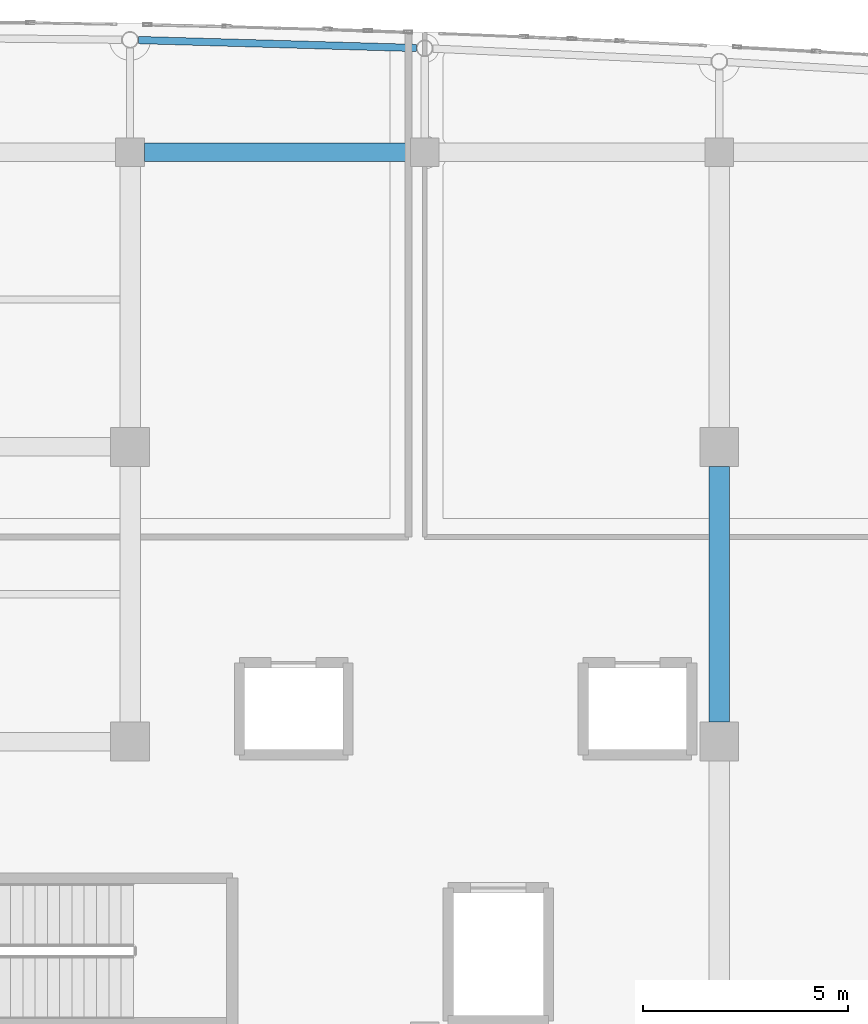
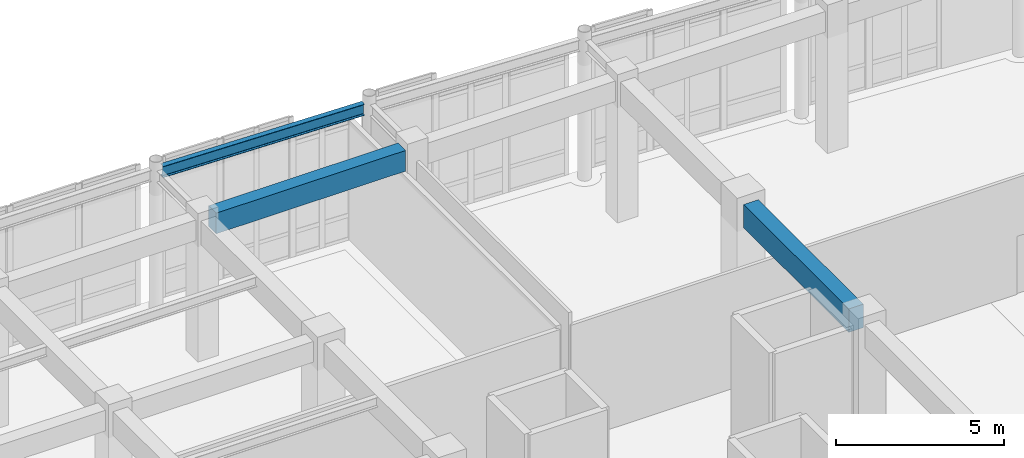
# One storey, part 46 of 102: 3 beams.
"""IFC4 building model written with IfcOpenShell, lengths in metres."""

from ifc_helpers import new_model, si_unit, direction, frame, origin, origin_2d, place, context, subcontext, project, spatial, rectangle, i_section, extrude, material, material_profile, profile_set, type_object, element, save


model = new_model("IFC4")

# Units and contexts
model_context = context("Model", 3, precision=1e-05, world=origin(), true_north=direction((0.0, 1.0)))
body_context = subcontext(model_context, "Body", "Model", "MODEL_VIEW")
ifc_project = project(units=[si_unit("LENGTHUNIT", "METRE"), si_unit("AREAUNIT", "SQUARE_METRE"), si_unit("VOLUMEUNIT", "CUBIC_METRE"), si_unit("PLANEANGLEUNIT", "RADIAN"), si_unit("MASSUNIT", "GRAM", prefix="KILO")], contexts=[model_context])

# Site, building, storey
site_placement = place(None, origin())
site = spatial("IfcSite", under=ifc_project, at=site_placement, CompositionType="ELEMENT")
building_placement = place(site_placement, origin())
building = spatial("IfcBuilding", under=site, at=building_placement, Name="Carrowvane Square Congress Hotel", CompositionType="ELEMENT")
storey_placement = place(building_placement, origin())
storey = spatial("IfcBuildingStorey", under=building, at=storey_placement, Name="L00", CompositionType="ELEMENT", Elevation=0.0)

# Beams
ifc_material_1 = material(Name="Concrete C35/45", Category="concrete")
ifc_material_profile_1 = material_profile(ifc_material_1, rectangle(XDim=0.449951171875, YDim=0.75, at=origin_2d()), Name="RC 450x750")
ifc_profile_set_1 = profile_set([ifc_material_profile_1], Name="Concrete C35/45")
beam_type_1 = type_object("IfcBeamType", Name="BM-RC-450x750", PredefinedType="USERDEFINED", material=ifc_profile_set_1)
beam_1_placement = place(storey_placement, frame((105.550048828125, 113.39990234375, 4.72509765625), z_axis=(1.0, 0.0, 0.0), x_axis=(0.0, 1.0, 0.0)))
element("IfcBeam", 1, at=beam_1_placement, inside=storey, type_object=beam_type_1, Name="L01 girder R/14-15", ObjectType="GIRDER", PredefinedType="USERDEFINED", context=body_context, shape_type="SweptSolid", body=[
    extrude(rectangle(XDim=0.449951171875, YDim=0.75, at=origin_2d()), origin(), (0.0, 0.0, 1.0), 6.5),
])
ifc_material_2 = material(Name="Concrete C35/45", Category="concrete")
ifc_material_profile_2 = material_profile(ifc_material_2, rectangle(XDim=0.5, YDim=0.85009765625, at=origin_2d()), Name="RC 500x850")
ifc_profile_set_2 = profile_set([ifc_material_profile_2], Name="Concrete C35/45")
beam_type_2 = type_object("IfcBeamType", Name="BM-RC-500x850", PredefinedType="USERDEFINED", material=ifc_profile_set_2)
beam_2_placement = place(storey_placement, frame((119.60009765625, 99.47509765625, 4.675048828125), z_axis=(0.0, 1.0, 0.0), x_axis=(-1.0, 0.0, 0.0)))
element("IfcBeam", 2, at=beam_2_placement, inside=storey, type_object=beam_type_2, Name="L01 girder 16/P-Q", ObjectType="GIRDER", PredefinedType="USERDEFINED", context=body_context, shape_type="SweptSolid", body=[
    extrude(rectangle(XDim=0.5, YDim=0.85009765625, at=origin_2d()), origin(), (0.0, 0.0, 1.0), 6.25),
])
ifc_material_3 = material(Name="Steel S355", Category="steel")
ifc_material_profile_3 = material_profile(ifc_material_3, i_section(OverallWidth=0.1787109375, OverallDepth=0.409423828125, WebThickness=0.0087890625, FlangeThickness=0.014404296875, FilletRadius=0.01025390625, at=origin_2d()), Name="UKB 406x178x67")
ifc_profile_set_3 = profile_set([ifc_material_profile_3], Name="Steel S355")
beam_type_3 = type_object("IfcBeamType", Name="BM-ST-UKB406", PredefinedType="BEAM", material=ifc_profile_set_3)
beam_3_placement = place(storey_placement, frame((105.403076171875, 116.14404296875, 4.895263671875), z_axis=(0.999591118992, -0.02859361522, 0.0), x_axis=(0.02859361522, 0.999591118992, 0.0)))
element("IfcBeam", 3, at=beam_3_placement, inside=storey, type_object=beam_type_3, Name="L01 curved north spandrel", PredefinedType="BEAM", context=body_context, shape_type="SweptSolid", body=[
    extrude(i_section(OverallWidth=0.1787109375, OverallDepth=0.409423828125, WebThickness=0.0087890625, FlangeThickness=0.014404296875, FilletRadius=0.01025390625, at=origin_2d()), origin(), (0.0, 0.0, 1.0), 6.79638671875),
])

save(model, "model.ifc")
